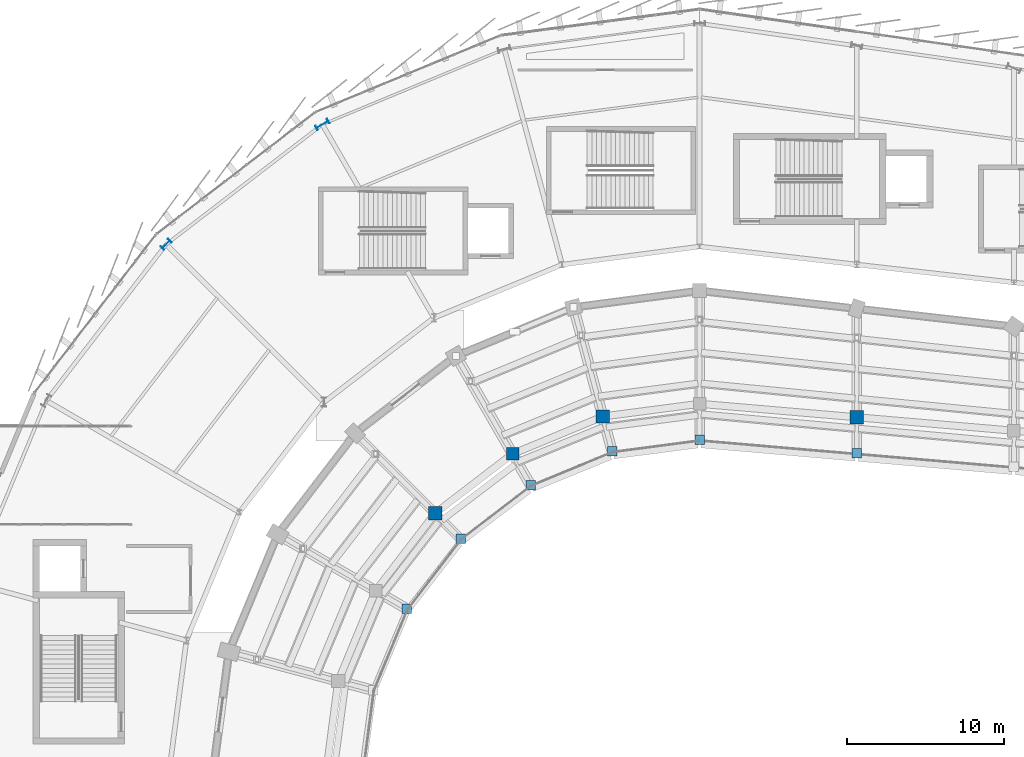
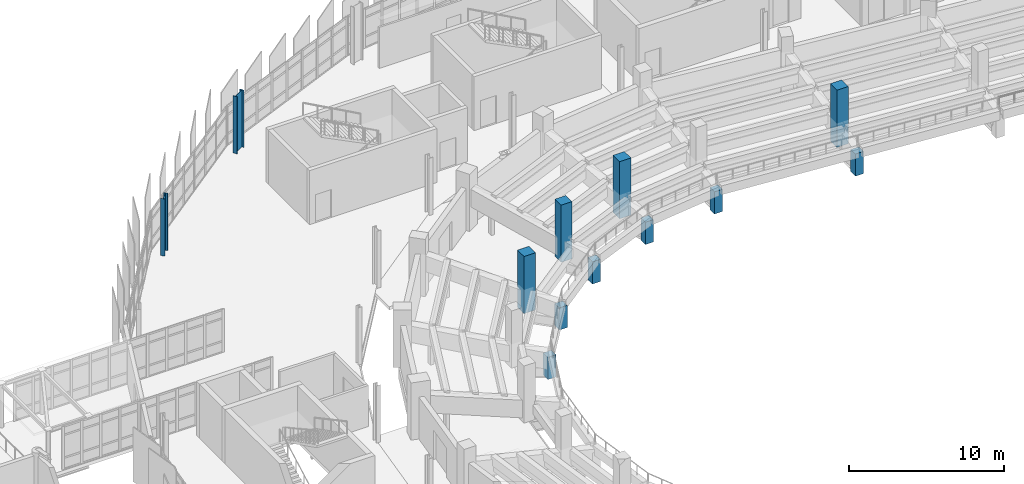
# One storey, part 13 of 120: 12 columns.
"""IFC4 building model written with IfcOpenShell, lengths in metres."""

from ifc_helpers import new_model, si_unit, direction, frame, origin, origin_2d, place, context, subcontext, project, spatial, rectangle, i_section, extrude, material, material_profile, profile_set, type_object, element, save


model = new_model("IFC4")

# Units and contexts
model_context = context("Model", 3, precision=1e-05, world=origin(), true_north=direction((0.0, 1.0)))
body_context = subcontext(model_context, "Body", "Model", "MODEL_VIEW")
ifc_project = project(units=[si_unit("LENGTHUNIT", "METRE"), si_unit("AREAUNIT", "SQUARE_METRE"), si_unit("VOLUMEUNIT", "CUBIC_METRE"), si_unit("PLANEANGLEUNIT", "RADIAN"), si_unit("MASSUNIT", "GRAM", prefix="KILO")], contexts=[model_context])

# Site, building, storey
site_placement = place(None, origin())
site = spatial("IfcSite", under=ifc_project, at=site_placement, CompositionType="ELEMENT")
building_placement = place(site_placement, origin())
building = spatial("IfcBuilding", under=site, at=building_placement, Name="Sohan Crest Arena", CompositionType="ELEMENT")
storey_placement = place(building_placement, frame((0.0, 0.0, 13.5)))
storey = spatial("IfcBuildingStorey", under=building, at=storey_placement, Name="L03", CompositionType="ELEMENT", Elevation=13.5)

# Columns
ifc_material_1 = material(Name="Concrete C40/50", Category="concrete")
ifc_material_profile_1 = material_profile(ifc_material_1, rectangle(XDim=0.60009765625, YDim=0.60009765625, at=origin_2d()), Name="RC 600x600")
ifc_profile_set_1 = profile_set([ifc_material_profile_1], Name="Concrete C40/50")
column_type_1 = type_object("IfcColumnType", Name="STR-COL-C01", PredefinedType="COLUMN", material=ifc_profile_set_1)
for number, where, z_axis, x_axis, name in (
    (1, (98.0, 99.5, -1.0), (0.0, 0.0, 1.0), (1.0, 0.0, 0.0), "Upper tier nose support column RKP-N01"),
    (2, (92.43505859375, 98.76708984375, -1.0), (0.0, 0.0, 1.0), (1.0, 0.0, 0.0), "Upper tier nose support column RKP-N02"),
    (3, (87.25, 96.618896484375, -1.0), (0.0, 0.0, 1.0), (1.0, 0.0, 0.0), "Upper tier nose support column RKP-N03"),
    (4, (82.797119140625, 93.202880859375, -1.0), (0.0, 0.0, 1.0), (1.0, 0.0, 0.0), "Upper tier nose support column RKP-N04"),
    (5, (79.381103515625, 88.75, -1.0), (0.0, 0.0, 1.0), (1.0, 0.0, 0.0), "Upper tier nose support column RKP-N05"),
    (6, (108.0, 98.64306640625, -1.0), (0.0, 0.0, 1.0), (1.0, 0.0, 0.0), "Upper tier nose support column RKP-N34"),
):
    element("IfcColumn", number, at=place(storey_placement, frame(where, z_axis=z_axis, x_axis=x_axis)), inside=storey, type_object=column_type_1, Name=name, PredefinedType="COLUMN", context=body_context, shape_type="SweptSolid", body=[
        extrude(rectangle(XDim=0.60009765625, YDim=0.60009765625, at=origin_2d()), origin(), (0.0, 0.0, 1.0), 1.75),
    ])
ifc_material_profile_2 = material_profile(ifc_material_1, rectangle(XDim=0.800048828125, YDim=0.800048828125, at=origin_2d()), Name="RC 800x800")
ifc_profile_set_2 = profile_set([ifc_material_profile_2], Name="Concrete C40/50")
column_type_2 = type_object("IfcColumnType", Name="STR-COL-C05", PredefinedType="COLUMN", material=ifc_profile_set_2)
column_1_placement = place(storey_placement, frame((86.10009765625, 98.611083984375, 0.0), z_axis=(0.0, 0.0, 1.0), x_axis=(1.0, 0.0, 0.0)))
element("IfcColumn", 7, at=column_1_placement, inside=storey, type_object=column_type_2, Name="Structural column COL-V1M-03-L03", PredefinedType="COLUMN", context=body_context, shape_type="SweptSolid", body=[
    extrude(rectangle(XDim=0.800048828125, YDim=0.800048828125, at=origin_2d()), origin(), (0.0, 0.0, 1.0), 4.5),
])
ifc_material_profile_3 = material_profile(ifc_material_1, rectangle(XDim=0.85009765625, YDim=0.85009765625, at=origin_2d()), Name="RC 850x850")
ifc_profile_set_3 = profile_set([ifc_material_profile_3], Name="Concrete C40/50")
column_type_3 = type_object("IfcColumnType", Name="STR-COL-C06", PredefinedType="COLUMN", material=ifc_profile_set_3)
for number, where, z_axis, x_axis, name in (
    (8, (91.840087890625, 100.989013671875, 0.0), (0.0, 0.0, 1.0), (1.0, 0.0, 0.0), "Structural column COL-V1M-02-L03"),
    (9, (81.1708984375, 94.8291015625, 0.0), (0.0, 0.0, 1.0), (1.0, 0.0, 0.0), "Structural column COL-V1M-04-L03"),
    (10, (108.0, 100.943115234375, 0.0), (0.0, 0.0, 1.0), (1.0, 0.0, 0.0), "Structural column COL-V1M-34-L03"),
):
    element("IfcColumn", number, at=place(storey_placement, frame(where, z_axis=z_axis, x_axis=x_axis)), inside=storey, type_object=column_type_3, Name=name, PredefinedType="COLUMN", context=body_context, shape_type="SweptSolid", body=[
        extrude(rectangle(XDim=0.85009765625, YDim=0.85009765625, at=origin_2d()), origin(), (0.0, 0.0, 1.0), 4.5),
    ])
ifc_material_2 = material(Name="Steel S355", Category="steel")
ifc_material_profile_4 = material_profile(ifc_material_2, i_section(OverallWidth=0.300048828125, OverallDepth=0.699951171875, WebThickness=0.01708984375, FlangeThickness=0.031982421875, at=origin_2d()), Name="HEB 700")
ifc_profile_set_4 = profile_set([ifc_material_profile_4], Name="Steel S355")
column_type_4 = type_object("IfcColumnType", Name="STR-COL-C21", PredefinedType="COLUMN", material=ifc_profile_set_4)
column_2_placement = place(storey_placement, frame((64.05908203125, 111.94091796875, 0.0), z_axis=(0.0, 0.0, 1.0), x_axis=(-0.707106781187, 0.707106781187, 0.0)))
element("IfcColumn", 11, at=column_2_placement, inside=storey, type_object=column_type_4, Name="Structural column COL-V2O-04-L03", PredefinedType="COLUMN", context=body_context, shape_type="SweptSolid", body=[
    extrude(i_section(OverallWidth=0.300048828125, OverallDepth=0.699951171875, WebThickness=0.01708984375, FlangeThickness=0.031982421875, at=origin_2d()), origin(), (0.0, 0.0, 1.0), 4.5),
])
ifc_material_profile_5 = material_profile(ifc_material_2, i_section(OverallWidth=0.300048828125, OverallDepth=0.89990234375, WebThickness=0.0185546875, FlangeThickness=0.034912109375, at=origin_2d()), Name="HEB 900")
ifc_profile_set_5 = profile_set([ifc_material_profile_5], Name="Steel S355")
column_type_5 = type_object("IfcColumnType", Name="STR-COL-C23", PredefinedType="COLUMN", material=ifc_profile_set_5)
column_3_placement = place(storey_placement, frame((74.0, 119.569091796875, 0.0), z_axis=(0.0, 0.0, 1.0), x_axis=(-0.5, 0.866025403784, 0.0)))
element("IfcColumn", 12, at=column_3_placement, inside=storey, type_object=column_type_5, Name="Structural column COL-V2O-03-L03", PredefinedType="COLUMN", context=body_context, shape_type="SweptSolid", body=[
    extrude(i_section(OverallWidth=0.300048828125, OverallDepth=0.89990234375, WebThickness=0.0185546875, FlangeThickness=0.034912109375, at=origin_2d()), origin(), (0.0, 0.0, 1.0), 4.5),
])

save(model, "model.ifc")
